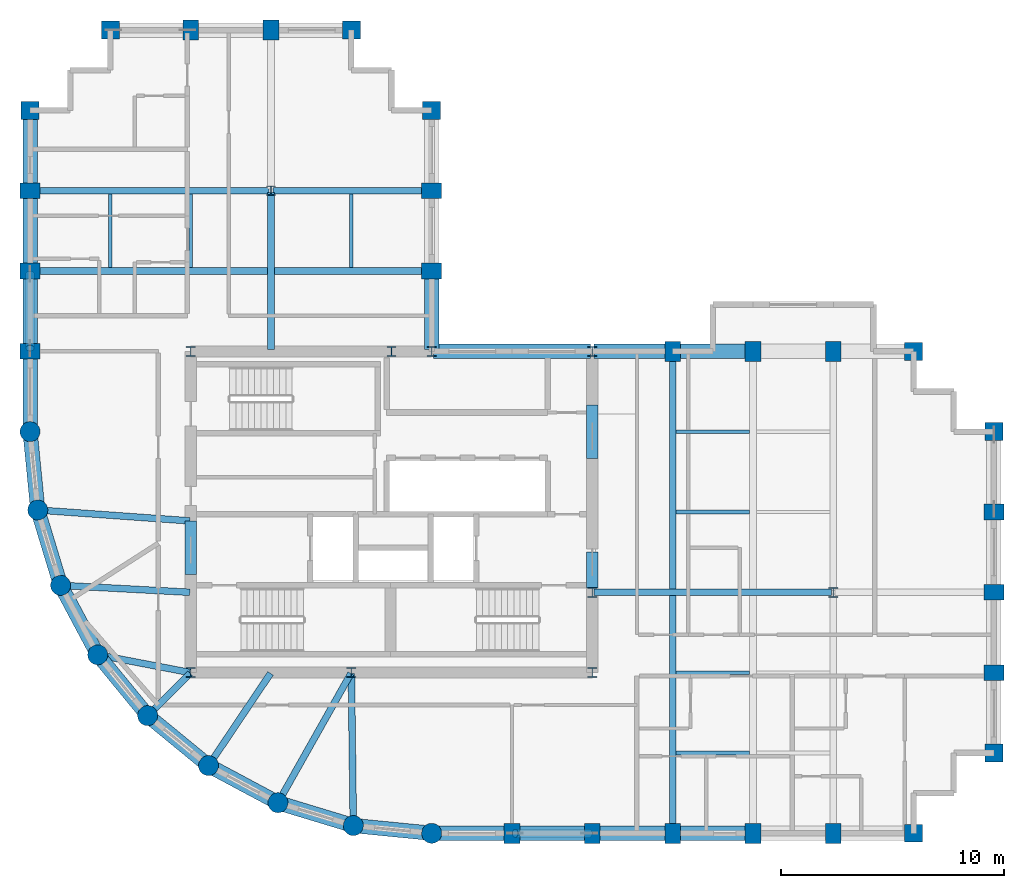
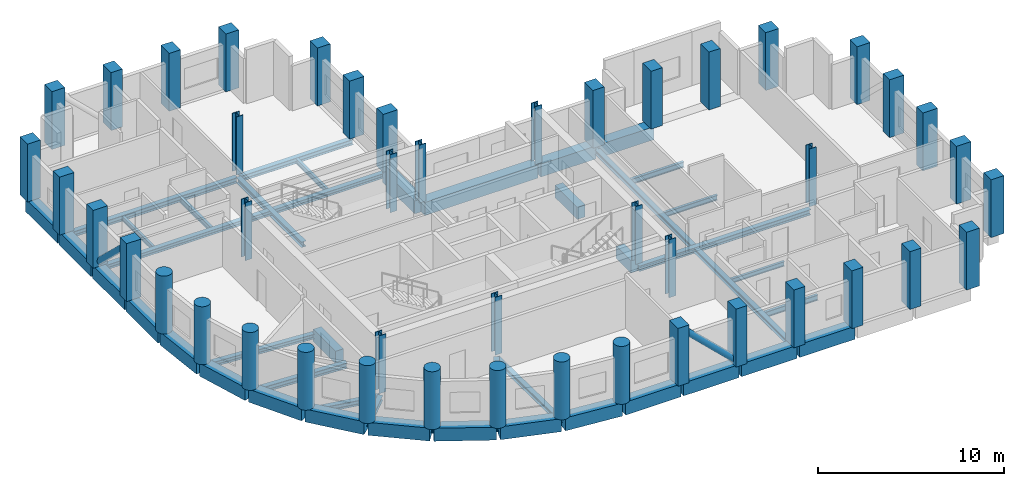
# One storey, part 1 of 8: 45 columns, 43 beams, 2 members.
"""IFC4 building model written with IfcOpenShell, lengths in metres."""

from ifc_helpers import new_model, si_unit, direction, frame, origin, origin_2d, place, context, subcontext, project, spatial, rectangle, circle, hollow_circle, i_section, extrude, material, material_profile, profile_set, type_object, element, save


model = new_model("IFC4")

# Units and contexts
model_context = context("Model", 3, precision=1e-05, world=origin(), true_north=direction((0.0, 1.0)))
body_context = subcontext(model_context, "Body", "Model", "MODEL_VIEW")
ifc_project = project(units=[si_unit("LENGTHUNIT", "METRE"), si_unit("AREAUNIT", "SQUARE_METRE"), si_unit("VOLUMEUNIT", "CUBIC_METRE"), si_unit("PLANEANGLEUNIT", "RADIAN"), si_unit("MASSUNIT", "GRAM", prefix="KILO")], contexts=[model_context])

# Site, building, storey
site_placement = place(None, origin())
site = spatial("IfcSite", under=ifc_project, at=site_placement, CompositionType="ELEMENT")
building_placement = place(site_placement, origin())
building = spatial("IfcBuilding", under=site, at=building_placement, Name="Solnavia Interchange Tower", CompositionType="ELEMENT")
storey_placement = place(building_placement, frame((0.0, 0.0, 186.199951171875)))
storey = spatial("IfcBuildingStorey", under=building, at=storey_placement, Name="L46", CompositionType="ELEMENT", Elevation=186.199951171875)

# Columns
ifc_material_1 = material(Name="Concrete C50/60", Category="concrete")
ifc_material_profile_1 = material_profile(ifc_material_1, rectangle(XDim=0.800048828125, YDim=0.800048828125, at=origin_2d()), Name="RC 800x800")
ifc_profile_set_1 = profile_set([ifc_material_profile_1], Name="Concrete C50/60")
column_type_1 = type_object("IfcColumnType", Name="Col-RC-800x800", PredefinedType="COLUMN", material=ifc_profile_set_1)
for number, where, z_axis, x_axis, name in (
    (1, (7.199951171875, 36.0, 0.0), (0.0, 0.0, 1.0), (0.0, 1.0, 0.0), "COL-L46-05 Tower corner column"),
    (2, (10.800048828125, 39.60009765625, 0.0), (0.0, 0.0, 1.0), (1.0, 0.0, 0.0), "COL-L46-09 Tower corner column"),
    (3, (21.60009765625, 39.60009765625, 0.0), (0.0, 0.0, 1.0), (1.0, 0.0, 0.0), "COL-L46-19 Tower corner column"),
    (4, (25.199951171875, 36.0, 0.0), (0.0, 0.0, 1.0), (0.0, 1.0, 0.0), "COL-L46-26 Tower corner column"),
    (5, (46.800048828125, 3.60009765625, 0.0), (0.0, 0.0, 1.0), (1.0, 0.0, 0.0), "COL-L46-39 Tower corner column"),
    (6, (46.800048828125, 25.199951171875, 0.0), (0.0, 0.0, 1.0), (1.0, 0.0, 0.0), "COL-L46-40 Tower corner column"),
    (7, (50.39990234375, 7.199951171875, 0.0), (0.0, 0.0, 1.0), (1.0, 0.0, 0.0), "COL-L46-41 Tower corner column"),
    (8, (50.39990234375, 21.60009765625, 0.0), (0.0, 0.0, 1.0), (0.0, 1.0, 0.0), "COL-L46-45 Tower corner column"),
):
    element("IfcColumn", number, at=place(storey_placement, frame(where, z_axis=z_axis, x_axis=x_axis)), inside=storey, type_object=column_type_1, Name=name, PredefinedType="COLUMN", context=body_context, shape_type="SweptSolid", body=[
        extrude(rectangle(XDim=0.800048828125, YDim=0.800048828125, at=origin_2d()), origin(), (0.0, 0.0, 1.0), 3.800048828125),
    ])
ifc_material_profile_2 = material_profile(ifc_material_1, rectangle(XDim=0.699951171875, YDim=0.89990234375, at=origin_2d()), Name="RC 900x700")
ifc_profile_set_2 = profile_set([ifc_material_profile_2], Name="Concrete C50/60")
column_type_2 = type_object("IfcColumnType", Name="Col-RC-900x700", PredefinedType="COLUMN", material=ifc_profile_set_2)
for number, where, z_axis, x_axis, name in (
    (9, (7.199951171875, 25.199951171875, 0.0), (0.0, 0.0, 1.0), (0.0, 1.0, 0.0), "COL-L46-02 Tower perim y column"),
    (10, (7.199951171875, 28.800048828125, 0.0), (0.0, 0.0, 1.0), (0.0, 1.0, 0.0), "COL-L46-03 Tower perim y column"),
    (11, (7.199951171875, 32.39990234375, 0.0), (0.0, 0.0, 1.0), (0.0, 1.0, 0.0), "COL-L46-04 Tower perim y column"),
    (12, (14.39990234375, 39.60009765625, 0.0), (0.0, 0.0, 1.0), (1.0, 0.0, 0.0), "COL-L46-13 Tower perim x column"),
    (13, (18.0, 39.60009765625, 0.0), (0.0, 0.0, 1.0), (1.0, 0.0, 0.0), "COL-L46-16 Tower perim x column"),
    (14, (25.199951171875, 28.800048828125, 0.0), (0.0, 0.0, 1.0), (0.0, 1.0, 0.0), "COL-L46-24 Tower perim y column"),
    (15, (25.199951171875, 32.39990234375, 0.0), (0.0, 0.0, 1.0), (0.0, 1.0, 0.0), "COL-L46-25 Tower perim y column"),
    (16, (28.800048828125, 3.60009765625, 0.0), (0.0, 0.0, 1.0), (1.0, 0.0, 0.0), "COL-L46-27 Tower perim x column"),
    (17, (32.39990234375, 3.60009765625, 0.0), (0.0, 0.0, 1.0), (1.0, 0.0, 0.0), "COL-L46-28 Tower perim x column"),
    (18, (36.0, 3.60009765625, 0.0), (0.0, 0.0, 1.0), (1.0, 0.0, 0.0), "COL-L46-32 Tower perim x column"),
    (19, (36.0, 25.199951171875, 0.0), (0.0, 0.0, 1.0), (1.0, 0.0, 0.0), "COL-L46-33 Tower perim x column"),
    (20, (39.60009765625, 3.60009765625, 0.0), (0.0, 0.0, 1.0), (1.0, 0.0, 0.0), "COL-L46-34 Tower perim x column"),
    (21, (39.60009765625, 25.199951171875, 0.0), (0.0, 0.0, 1.0), (1.0, 0.0, 0.0), "COL-L46-35 Tower perim x column"),
    (22, (43.199951171875, 3.60009765625, 0.0), (0.0, 0.0, 1.0), (1.0, 0.0, 0.0), "COL-L46-36 Tower perim x column"),
    (23, (43.199951171875, 25.199951171875, 0.0), (0.0, 0.0, 1.0), (1.0, 0.0, 0.0), "COL-L46-38 Tower perim x column"),
    (24, (50.39990234375, 10.800048828125, 0.0), (0.0, 0.0, 1.0), (0.0, 1.0, 0.0), "COL-L46-42 Tower perim y column"),
    (25, (50.39990234375, 14.39990234375, 0.0), (0.0, 0.0, 1.0), (0.0, 1.0, 0.0), "COL-L46-43 Tower perim y column"),
    (26, (50.39990234375, 18.0, 0.0), (0.0, 0.0, 1.0), (0.0, 1.0, 0.0), "COL-L46-44 Tower perim y column"),
):
    element("IfcColumn", number, at=place(storey_placement, frame(where, z_axis=z_axis, x_axis=x_axis)), inside=storey, type_object=column_type_2, Name=name, PredefinedType="COLUMN", context=body_context, shape_type="SweptSolid", body=[
        extrude(rectangle(XDim=0.699951171875, YDim=0.89990234375, at=origin_2d()), origin(), (0.0, 0.0, 1.0), 3.800048828125),
    ])
ifc_material_profile_3 = material_profile(ifc_material_1, circle(Radius=0.449951171875, at=origin_2d()), Name="RC D900")
ifc_profile_set_3 = profile_set([ifc_material_profile_3], Name="Concrete C50/60")
column_type_3 = type_object("IfcColumnType", Name="Col-RC-D900", PredefinedType="COLUMN", material=ifc_profile_set_3)
for number, where, z_axis, x_axis, name in (
    (27, (7.199951171875, 21.60009765625, 0.0), (0.0, 0.0, 1.0), (1.0, 0.0, 0.0), "COL-L46-01 Tower drum column"),
    (28, (7.5458984375, 18.087890625, 0.0), (0.0, 0.0, 1.0), (1.0, 0.0, 0.0), "COL-L46-06 Tower drum column"),
    (29, (8.570068359375, 14.7119140625, 0.0), (0.0, 0.0, 1.0), (1.0, 0.0, 0.0), "COL-L46-07 Tower drum column"),
    (30, (10.23388671875, 11.60009765625, 0.0), (0.0, 0.0, 1.0), (1.0, 0.0, 0.0), "COL-L46-08 Tower drum column"),
    (31, (12.471923828125, 8.8720703125, 0.0), (0.0, 0.0, 1.0), (1.0, 0.0, 0.0), "COL-L46-10 Tower drum column"),
    (32, (15.199951171875, 6.634033203125, 0.0), (0.0, 0.0, 1.0), (1.0, 0.0, 0.0), "COL-L46-14 Tower drum column"),
    (33, (18.31201171875, 4.969970703125, 0.0), (0.0, 0.0, 1.0), (1.0, 0.0, 0.0), "COL-L46-17 Tower drum column"),
    (34, (21.68798828125, 3.946044921875, 0.0), (0.0, 0.0, 1.0), (1.0, 0.0, 0.0), "COL-L46-20 Tower drum column"),
    (35, (25.199951171875, 3.60009765625, 0.0), (0.0, 0.0, 1.0), (1.0, 0.0, 0.0), "COL-L46-22 Tower drum column"),
):
    element("IfcColumn", number, at=place(storey_placement, frame(where, z_axis=z_axis, x_axis=x_axis)), inside=storey, type_object=column_type_3, Name=name, PredefinedType="COLUMN", context=body_context, shape_type="SweptSolid", body=[
        extrude(circle(Radius=0.449951171875, at=origin_2d()), origin(), (0.0, 0.0, 1.0), 3.800048828125),
    ])
ifc_material_2 = material(Name="Steel S355", Category="steel")
ifc_material_profile_4 = material_profile(ifc_material_2, i_section(OverallWidth=0.416015625, OverallDepth=0.44189453125, WebThickness=0.02490234375, FlangeThickness=0.041015625, FilletRadius=0.014892578125, at=origin_2d()), Name="HD 400x382")
ifc_profile_set_4 = profile_set([ifc_material_profile_4], Name="Steel S355")
column_type_4 = type_object("IfcColumnType", Name="Col-Steel-HD400x382", PredefinedType="COLUMN", material=ifc_profile_set_4)
for number, where, z_axis, x_axis, name in (
    (36, (14.39990234375, 10.800048828125, 0.0), (0.0, 0.0, 1.0), (1.0, 0.0, 0.0), "COL-L46-11 Tower interior column"),
    (37, (14.39990234375, 25.199951171875, 0.0), (0.0, 0.0, 1.0), (1.0, 0.0, 0.0), "COL-L46-12 Tower interior column"),
    (38, (18.0, 32.39990234375, 0.0), (0.0, 0.0, 1.0), (1.0, 0.0, 0.0), "COL-L46-15 Tower interior column"),
    (39, (21.60009765625, 10.800048828125, 0.0), (0.0, 0.0, 1.0), (1.0, 0.0, 0.0), "COL-L46-18 Tower interior column"),
    (40, (23.39990234375, 25.199951171875, 0.0), (0.0, 0.0, 1.0), (1.0, 0.0, 0.0), "COL-L46-21 Tower interior column"),
    (41, (25.199951171875, 25.199951171875, 0.0), (0.0, 0.0, 1.0), (1.0, 0.0, 0.0), "COL-L46-23 Tower interior column"),
    (42, (32.39990234375, 10.800048828125, 0.0), (0.0, 0.0, 1.0), (1.0, 0.0, 0.0), "COL-L46-29 Tower interior column"),
    (43, (32.39990234375, 14.39990234375, 0.0), (0.0, 0.0, 1.0), (1.0, 0.0, 0.0), "COL-L46-30 Tower interior column"),
    (44, (32.39990234375, 25.199951171875, 0.0), (0.0, 0.0, 1.0), (1.0, 0.0, 0.0), "COL-L46-31 Tower interior column"),
    (45, (43.199951171875, 14.39990234375, 0.0), (0.0, 0.0, 1.0), (1.0, 0.0, 0.0), "COL-L46-37 Tower interior column"),
):
    element("IfcColumn", number, at=place(storey_placement, frame(where, z_axis=z_axis, x_axis=x_axis)), inside=storey, type_object=column_type_4, Name=name, PredefinedType="COLUMN", context=body_context, shape_type="SweptSolid", body=[
        extrude(i_section(OverallWidth=0.416015625, OverallDepth=0.44189453125, WebThickness=0.02490234375, FlangeThickness=0.041015625, FilletRadius=0.014892578125, at=origin_2d()), origin(), (0.0, 0.0, 1.0), 3.800048828125),
    ])

# Beams
ifc_material_profile_5 = material_profile(ifc_material_1, rectangle(XDim=0.5, YDim=0.800048828125, at=origin_2d()), Name="RC 500x800")
ifc_profile_set_5 = profile_set([ifc_material_profile_5], Name="Concrete C50/60")
beam_type_1 = type_object("IfcBeamType", Name="Beam-Coupling-RC500x800", PredefinedType="LINTEL", material=ifc_profile_set_5)
beam_1_placement = place(storey_placement, frame((14.39990234375, 15.199951171875, -0.39990234375), z_axis=(0.0, 1.0, 0.0), x_axis=(-1.0, 0.0, 0.0)))
element("IfcBeam", 46, at=beam_1_placement, inside=storey, type_object=beam_type_1, Name="CPB-L46-W1 Core coupling lintel beam", PredefinedType="LINTEL", context=body_context, shape_type="SweptSolid", body=[
    extrude(rectangle(XDim=0.5, YDim=0.800048828125, at=origin_2d()), origin(), (0.0, 0.0, 1.0), 2.400146484375),
])
beam_2_placement = place(storey_placement, frame((32.39990234375, 14.60009765625, -0.39990234375), z_axis=(0.0, 1.0, 0.0), x_axis=(-1.0, 0.0, 0.0)))
element("IfcBeam", 47, at=beam_2_placement, inside=storey, type_object=beam_type_1, Name="CPB-L46-E1 Core coupling lintel beam", PredefinedType="LINTEL", context=body_context, shape_type="SweptSolid", body=[
    extrude(rectangle(XDim=0.5, YDim=0.800048828125, at=origin_2d()), origin(), (0.0, 0.0, 1.0), 1.599853515625),
])
beam_3_placement = place(storey_placement, frame((32.39990234375, 20.39990234375, -0.39990234375), z_axis=(0.0, 1.0, 0.0), x_axis=(-1.0, 0.0, 0.0)))
element("IfcBeam", 48, at=beam_3_placement, inside=storey, type_object=beam_type_1, Name="CPB-L46-E2 Core coupling lintel beam", PredefinedType="LINTEL", context=body_context, shape_type="SweptSolid", body=[
    extrude(rectangle(XDim=0.5, YDim=0.800048828125, at=origin_2d()), origin(), (0.0, 0.0, 1.0), 2.400146484375),
])
ifc_material_3 = material(Name="Steel S460", Category="steel")
ifc_material_profile_6 = material_profile(ifc_material_3, i_section(OverallWidth=0.300048828125, OverallDepth=0.360107421875, WebThickness=0.012451171875, FlangeThickness=0.0224609375, FilletRadius=0.027099609375, at=origin_2d()), Name="HEB 360")
ifc_profile_set_6 = profile_set([ifc_material_profile_6], Name="Steel S460")
beam_type_2 = type_object("IfcBeamType", Name="Beam-Girder-HEB360", PredefinedType="BEAM", material=ifc_profile_set_6)
beam_4_placement = place(storey_placement, frame((32.47998046875, 14.39990234375, -0.429931640625), z_axis=(1.0, 0.0, 0.0), x_axis=(0.0, 1.0, 0.0)))
element("IfcBeam", 49, at=beam_4_placement, inside=storey, type_object=beam_type_2, Name="GRD-L46-ES01 East wing spine girder", PredefinedType="BEAM", context=body_context, shape_type="SweptSolid", body=[
    extrude(i_section(OverallWidth=0.300048828125, OverallDepth=0.360107421875, WebThickness=0.012451171875, FlangeThickness=0.0224609375, FilletRadius=0.027099609375, at=origin_2d()), origin(), (0.0, 0.0, 1.0), 10.64013671875),
])
beam_5_placement = place(storey_placement, frame((18.0, 25.280029296875, -0.429931640625), z_axis=(0.0, 1.0, 0.0), x_axis=(-1.0, 0.0, 0.0)))
element("IfcBeam", 50, at=beam_5_placement, inside=storey, type_object=beam_type_2, Name="GRD-L46-NS07 North wing spine girder", PredefinedType="BEAM", context=body_context, shape_type="SweptSolid", body=[
    extrude(i_section(OverallWidth=0.300048828125, OverallDepth=0.360107421875, WebThickness=0.012451171875, FlangeThickness=0.0224609375, FilletRadius=0.027099609375, at=origin_2d()), origin(), (0.0, 0.0, 1.0), 7.0400390625),
])
beam_6_placement = place(storey_placement, frame((7.280029296875, 32.39990234375, -0.429931640625), z_axis=(1.0, 0.0, 0.0), x_axis=(0.0, 1.0, 0.0)))
element("IfcBeam", 51, at=beam_6_placement, inside=storey, type_object=beam_type_2, Name="GRD-L46-NW10 North wing primary floor girder", PredefinedType="BEAM", context=body_context, shape_type="SweptSolid", body=[
    extrude(i_section(OverallWidth=0.300048828125, OverallDepth=0.360107421875, WebThickness=0.012451171875, FlangeThickness=0.0224609375, FilletRadius=0.027099609375, at=origin_2d()), origin(), (0.0, 0.0, 1.0), 10.639892578125),
])
beam_7_placement = place(storey_placement, frame((18.080078125, 32.39990234375, -0.429931640625), z_axis=(1.0, 0.0, 0.0), x_axis=(0.0, 1.0, 0.0)))
element("IfcBeam", 52, at=beam_7_placement, inside=storey, type_object=beam_type_2, Name="GRD-L46-NW11 North wing primary floor girder", PredefinedType="BEAM", context=body_context, shape_type="SweptSolid", body=[
    extrude(i_section(OverallWidth=0.300048828125, OverallDepth=0.360107421875, WebThickness=0.012451171875, FlangeThickness=0.0224609375, FilletRadius=0.027099609375, at=origin_2d()), origin(), (0.0, 0.0, 1.0), 7.0400390625),
])
beam_8_placement = place(storey_placement, frame((8.64990234375, 14.707763671875, -0.429931640625), z_axis=(0.998570371303, -0.053452909696, 0.0), x_axis=(0.053452909696, 0.998570371303, 0.0)))
element("IfcBeam", 53, at=beam_8_placement, inside=storey, type_object=beam_type_2, Name="GRD-L46-DR13 Drum radial floor girder", PredefinedType="BEAM", context=body_context, shape_type="SweptSolid", body=[
    extrude(i_section(OverallWidth=0.300048828125, OverallDepth=0.360107421875, WebThickness=0.012451171875, FlangeThickness=0.0224609375, FilletRadius=0.027099609375, at=origin_2d()), origin(), (0.0, 0.0, 1.0), 5.71826171875),
])
beam_9_placement = place(storey_placement, frame((15.24462890625, 6.700439453125, -0.429931640625), z_axis=(0.557835474219, 0.829951555033, 0.0), x_axis=(-0.829951555033, 0.557835474219, 0.0)))
element("IfcBeam", 54, at=beam_9_placement, inside=storey, type_object=beam_type_2, Name="GRD-L46-DR16 Drum radial floor girder", PredefinedType="BEAM", context=body_context, shape_type="SweptSolid", body=[
    extrude(i_section(OverallWidth=0.300048828125, OverallDepth=0.360107421875, WebThickness=0.012451171875, FlangeThickness=0.0224609375, FilletRadius=0.027099609375, at=origin_2d()), origin(), (0.0, 0.0, 1.0), 4.899658203125),
])
ifc_material_profile_7 = material_profile(ifc_material_2, i_section(OverallWidth=0.14990234375, OverallDepth=0.300048828125, WebThickness=0.007080078125, FlangeThickness=0.0107421875, FilletRadius=0.014892578125, at=origin_2d()), Name="IPE 300")
ifc_profile_set_7 = profile_set([ifc_material_profile_7], Name="Steel S355")
beam_type_3 = type_object("IfcBeamType", Name="Beam-Joist-IPE300", PredefinedType="JOIST", material=ifc_profile_set_7)
for number, where, z_axis, x_axis, name in (
    (55, (36.14990234375, 10.800048828125, -0.39990234375), (1.0, 0.0, 0.0), (0.0, 1.0, 0.0), "JST-L46-E03 East wing secondary joist"),
    (56, (10.800048828125, 28.949951171875, -0.39990234375), (0.0, 1.0, 0.0), (-1.0, 0.0, 0.0), "JST-L46-N09 North wing secondary joist"),
):
    element("IfcBeam", number, at=place(storey_placement, frame(where, z_axis=z_axis, x_axis=x_axis)), inside=storey, type_object=beam_type_3, Name=name, PredefinedType="JOIST", context=body_context, shape_type="SweptSolid", body=[
        extrude(i_section(OverallWidth=0.14990234375, OverallDepth=0.300048828125, WebThickness=0.007080078125, FlangeThickness=0.0107421875, FilletRadius=0.014892578125, at=origin_2d()), origin(), (0.0, 0.0, 1.0), 3.300048828125),
    ])
ifc_material_profile_8 = material_profile(ifc_material_2, i_section(OverallWidth=0.159912109375, OverallDepth=0.330078125, WebThickness=0.007568359375, FlangeThickness=0.011474609375, FilletRadius=0.01806640625, at=origin_2d()), Name="IPE 330")
ifc_profile_set_8 = profile_set([ifc_material_profile_8], Name="Steel S355")
beam_type_4 = type_object("IfcBeamType", Name="Beam-Joist-IPE330", PredefinedType="JOIST", material=ifc_profile_set_8)
for number, where, z_axis, x_axis, name in (
    (57, (36.14990234375, 18.0, -0.4150390625), (1.0, 0.0, 0.0), (0.0, 1.0, 0.0), "JST-L46-E05 East wing secondary joist"),
    (58, (21.60009765625, 28.949951171875, -0.4150390625), (0.0, 1.0, 0.0), (-1.0, 0.0, 0.0), "JST-L46-N11 North wing secondary joist"),
):
    element("IfcBeam", number, at=place(storey_placement, frame(where, z_axis=z_axis, x_axis=x_axis)), inside=storey, type_object=beam_type_4, Name=name, PredefinedType="JOIST", context=body_context, shape_type="SweptSolid", body=[
        extrude(i_section(OverallWidth=0.159912109375, OverallDepth=0.330078125, WebThickness=0.007568359375, FlangeThickness=0.011474609375, FilletRadius=0.01806640625, at=origin_2d()), origin(), (0.0, 0.0, 1.0), 3.300048828125),
    ])
ifc_material_profile_9 = material_profile(ifc_material_2, i_section(OverallWidth=0.169921875, OverallDepth=0.360107421875, WebThickness=0.008056640625, FlangeThickness=0.0126953125, FilletRadius=0.01806640625, at=origin_2d()), Name="IPE 360")
ifc_profile_set_9 = profile_set([ifc_material_profile_9], Name="Steel S355")
beam_type_5 = type_object("IfcBeamType", Name="Beam-Joist-IPE360", PredefinedType="JOIST", material=ifc_profile_set_9)
for number, where, z_axis, x_axis, name in (
    (59, (36.14990234375, 7.199951171875, -0.429931640625), (1.0, 0.0, 0.0), (0.0, 1.0, 0.0), "JST-L46-E01 East wing secondary joist"),
    (60, (36.14990234375, 21.60009765625, -0.429931640625), (1.0, 0.0, 0.0), (0.0, 1.0, 0.0), "JST-L46-E07 East wing secondary joist"),
    (61, (14.39990234375, 28.949951171875, -0.429931640625), (0.0, 1.0, 0.0), (-1.0, 0.0, 0.0), "JST-L46-N10 North wing secondary joist"),
):
    element("IfcBeam", number, at=place(storey_placement, frame(where, z_axis=z_axis, x_axis=x_axis)), inside=storey, type_object=beam_type_5, Name=name, PredefinedType="JOIST", context=body_context, shape_type="SweptSolid", body=[
        extrude(i_section(OverallWidth=0.169921875, OverallDepth=0.360107421875, WebThickness=0.008056640625, FlangeThickness=0.0126953125, FilletRadius=0.01806640625, at=origin_2d()), origin(), (0.0, 0.0, 1.0), 3.300048828125),
    ])
ifc_material_profile_10 = material_profile(ifc_material_2, i_section(OverallWidth=0.300048828125, OverallDepth=0.31005859375, WebThickness=0.009033203125, FlangeThickness=0.015380859375, FilletRadius=0.027099609375, at=origin_2d()), Name="HEA 320")
ifc_profile_set_10 = profile_set([ifc_material_profile_10], Name="Steel S355")
beam_type_6 = type_object("IfcBeamType", Name="Beam-Primary-HEA320", PredefinedType="BEAM", material=ifc_profile_set_10)
beam_10_placement = place(storey_placement, frame((36.0, 3.679931640625, -0.405029296875), z_axis=(0.0, 1.0, 0.0), x_axis=(-1.0, 0.0, 0.0)))
element("IfcBeam", 62, at=beam_10_placement, inside=storey, type_object=beam_type_6, Name="GRD-L46-EW03 East wing primary floor girder", PredefinedType="BEAM", context=body_context, shape_type="SweptSolid", body=[
    extrude(i_section(OverallWidth=0.300048828125, OverallDepth=0.31005859375, WebThickness=0.009033203125, FlangeThickness=0.015380859375, FilletRadius=0.027099609375, at=origin_2d()), origin(), (0.0, 0.0, 1.0), 21.440185546875),
])
beam_11_placement = place(storey_placement, frame((7.280029296875, 28.800048828125, -0.405029296875), z_axis=(1.0, 0.0, 0.0), x_axis=(0.0, 1.0, 0.0)))
element("IfcBeam", 63, at=beam_11_placement, inside=storey, type_object=beam_type_6, Name="GRD-L46-NW09 North wing primary floor girder", PredefinedType="BEAM", context=body_context, shape_type="SweptSolid", body=[
    extrude(i_section(OverallWidth=0.300048828125, OverallDepth=0.31005859375, WebThickness=0.009033203125, FlangeThickness=0.015380859375, FilletRadius=0.027099609375, at=origin_2d()), origin(), (0.0, 0.0, 1.0), 17.840087890625),
])
beam_12_placement = place(storey_placement, frame((7.625732421875, 18.082275390625, -0.405029296875), z_axis=(0.99747482749, -0.071020902015, 0.0), x_axis=(0.071020902015, 0.99747482749, 0.0)))
element("IfcBeam", 64, at=beam_12_placement, inside=storey, type_object=beam_type_6, Name="GRD-L46-DR12 Drum radial floor girder", PredefinedType="BEAM", context=body_context, shape_type="SweptSolid", body=[
    extrude(i_section(OverallWidth=0.300048828125, OverallDepth=0.31005859375, WebThickness=0.009033203125, FlangeThickness=0.015380859375, FilletRadius=0.027099609375, at=origin_2d()), origin(), (0.0, 0.0, 1.0), 6.75146484375),
])
beam_13_placement = place(storey_placement, frame((12.528564453125, 8.9287109375, -0.405029296875), z_axis=(0.707106781187, 0.707106781187, 0.0), x_axis=(-0.707106781187, 0.707106781187, 0.0)))
element("IfcBeam", 65, at=beam_13_placement, inside=storey, type_object=beam_type_6, Name="GRD-L46-DR15 Drum radial floor girder", PredefinedType="BEAM", context=body_context, shape_type="SweptSolid", body=[
    extrude(i_section(OverallWidth=0.300048828125, OverallDepth=0.31005859375, WebThickness=0.009033203125, FlangeThickness=0.015380859375, FilletRadius=0.027099609375, at=origin_2d()), origin(), (0.0, 0.0, 1.0), 2.6064453125),
])
beam_14_placement = place(storey_placement, frame((21.68701171875, 4.02587890625, -0.405029296875), z_axis=(-0.01283293513, 0.999917654498, 0.0), x_axis=(-0.999917654498, -0.01283293513, 0.0)))
element("IfcBeam", 66, at=beam_14_placement, inside=storey, type_object=beam_type_6, Name="GRD-L46-DR18 Drum radial floor girder", PredefinedType="BEAM", context=body_context, shape_type="SweptSolid", body=[
    extrude(i_section(OverallWidth=0.300048828125, OverallDepth=0.31005859375, WebThickness=0.009033203125, FlangeThickness=0.015380859375, FilletRadius=0.027099609375, at=origin_2d()), origin(), (0.0, 0.0, 1.0), 6.734619140625),
])
ifc_material_profile_11 = material_profile(ifc_material_2, i_section(OverallWidth=0.300048828125, OverallDepth=0.35009765625, WebThickness=0.010009765625, FlangeThickness=0.017578125, FilletRadius=0.027099609375, at=origin_2d()), Name="HEA 360")
ifc_profile_set_11 = profile_set([ifc_material_profile_11], Name="Steel S355")
beam_type_7 = type_object("IfcBeamType", Name="Beam-Primary-HEA360", PredefinedType="BEAM", material=ifc_profile_set_11)
beam_15_placement = place(storey_placement, frame((10.3125, 11.5849609375, -0.425048828125), z_axis=(0.982057527796, -0.188581579428, 0.0), x_axis=(0.188581579428, 0.982057527796, 0.0)))
element("IfcBeam", 67, at=beam_15_placement, inside=storey, type_object=beam_type_7, Name="GRD-L46-DR14 Drum radial floor girder", PredefinedType="BEAM", context=body_context, shape_type="SweptSolid", body=[
    extrude(i_section(OverallWidth=0.300048828125, OverallDepth=0.35009765625, WebThickness=0.010009765625, FlangeThickness=0.017578125, FilletRadius=0.027099609375, at=origin_2d()), origin(), (0.0, 0.0, 1.0), 4.1220703125),
])
beam_16_placement = place(storey_placement, frame((18.351318359375, 5.039794921875, -0.425048828125), z_axis=(0.491243158486, 0.871022479182, 0.0), x_axis=(-0.871022479182, 0.491243158486, 0.0)))
element("IfcBeam", 68, at=beam_16_placement, inside=storey, type_object=beam_type_7, Name="GRD-L46-DR17 Drum radial floor girder", PredefinedType="BEAM", context=body_context, shape_type="SweptSolid", body=[
    extrude(i_section(OverallWidth=0.300048828125, OverallDepth=0.35009765625, WebThickness=0.010009765625, FlangeThickness=0.017578125, FilletRadius=0.027099609375, at=origin_2d()), origin(), (0.0, 0.0, 1.0), 6.5732421875),
])
ifc_material_profile_12 = material_profile(ifc_material_1, rectangle(XDim=0.64990234375, YDim=0.85009765625, at=origin_2d()), Name="RC 650x850")
ifc_profile_set_12 = profile_set([ifc_material_profile_12], Name="Concrete C50/60")
beam_type_8 = type_object("IfcBeamType", Name="Beam-Spandrel-RC650x850", PredefinedType="SPANDREL", material=ifc_profile_set_12)
beam_17_placement = place(storey_placement, frame((7.207763671875, 21.5205078125, -0.425048828125), z_axis=(0.098040038117, -0.995182471171, 0.0), x_axis=(0.995182471171, 0.098040038117, 0.0)))
element("IfcBeam", 69, at=beam_17_placement, inside=storey, type_object=beam_type_8, Name="SPB-L46-01 Framed-tube perimeter spandrel beam", PredefinedType="SPANDREL", context=body_context, shape_type="SweptSolid", body=[
    extrude(rectangle(XDim=0.64990234375, YDim=0.85009765625, at=origin_2d()), origin(), (0.0, 0.0, 1.0), 3.369140625),
])
beam_18_placement = place(storey_placement, frame((7.569091796875, 18.011474609375, -0.425048828125), z_axis=(0.290319223646, -0.956929855518, 0.0), x_axis=(0.956929855518, 0.290319223646, 0.0)))
element("IfcBeam", 70, at=beam_18_placement, inside=storey, type_object=beam_type_8, Name="SPB-L46-02 Framed-tube perimeter spandrel beam", PredefinedType="SPANDREL", context=body_context, shape_type="SweptSolid", body=[
    extrude(rectangle(XDim=0.64990234375, YDim=0.85009765625, at=origin_2d()), origin(), (0.0, 0.0, 1.0), 3.367919921875),
])
beam_19_placement = place(storey_placement, frame((8.607666015625, 14.6416015625, -0.425048828125), z_axis=(0.471509422952, -0.881861023102, 0.0), x_axis=(0.881861023102, 0.471509422952, 0.0)))
element("IfcBeam", 71, at=beam_19_placement, inside=storey, type_object=beam_type_8, Name="SPB-L46-03 Framed-tube perimeter spandrel beam", PredefinedType="SPANDREL", context=body_context, shape_type="SweptSolid", body=[
    extrude(rectangle(XDim=0.64990234375, YDim=0.85009765625, at=origin_2d()), origin(), (0.0, 0.0, 1.0), 3.369140625),
])
for number, where, z_axis, x_axis, name in (
    (72, (10.28466796875, 11.5380859375, -0.425048828125), (0.634298841675, -0.773087950656, 0.0), (0.773087950656, 0.634298841675, 0.0), "SPB-L46-04 Framed-tube perimeter spandrel beam"),
    (73, (12.53369140625, 8.8212890625, -0.425048828125), (0.773152644452, -0.634219984214, 0.0), (0.634219984214, 0.773152644452, 0.0), "SPB-L46-05 Framed-tube perimeter spandrel beam"),
):
    element("IfcBeam", number, at=place(storey_placement, frame(where, z_axis=z_axis, x_axis=x_axis)), inside=storey, type_object=beam_type_8, Name=name, PredefinedType="SPANDREL", context=body_context, shape_type="SweptSolid", body=[
        extrude(rectangle(XDim=0.64990234375, YDim=0.85009765625, at=origin_2d()), origin(), (0.0, 0.0, 1.0), 3.36865234375),
    ])
beam_20_placement = place(storey_placement, frame((15.2705078125, 6.59619140625, -0.425048828125), z_axis=(0.881875044348, -0.47148319817, 0.0), x_axis=(0.47148319817, 0.881875044348, 0.0)))
element("IfcBeam", 74, at=beam_20_placement, inside=storey, type_object=beam_type_8, Name="SPB-L46-06 Framed-tube perimeter spandrel beam", PredefinedType="SPANDREL", context=body_context, shape_type="SweptSolid", body=[
    extrude(rectangle(XDim=0.64990234375, YDim=0.85009765625, at=origin_2d()), origin(), (0.0, 0.0, 1.0), 3.368896484375),
])
beam_21_placement = place(storey_placement, frame((18.388671875, 4.94677734375, -0.425048828125), z_axis=(0.956943884494, -0.290272978297, 0.0), x_axis=(0.290272978297, 0.956943884494, 0.0)))
element("IfcBeam", 75, at=beam_21_placement, inside=storey, type_object=beam_type_8, Name="SPB-L46-07 Framed-tube perimeter spandrel beam", PredefinedType="SPANDREL", context=body_context, shape_type="SweptSolid", body=[
    extrude(rectangle(XDim=0.64990234375, YDim=0.85009765625, at=origin_2d()), origin(), (0.0, 0.0, 1.0), 3.36767578125),
])
beam_22_placement = place(storey_placement, frame((21.767578125, 3.938232421875, -0.425048828125), z_axis=(0.995181774609, -0.098047108501, 0.0), x_axis=(0.098047108501, 0.995181774609, 0.0)))
element("IfcBeam", 76, at=beam_22_placement, inside=storey, type_object=beam_type_8, Name="SPB-L46-08 Framed-tube perimeter spandrel beam", PredefinedType="SPANDREL", context=body_context, shape_type="SweptSolid", body=[
    extrude(rectangle(XDim=0.64990234375, YDim=0.85009765625, at=origin_2d()), origin(), (0.0, 0.0, 1.0), 3.368896484375),
])
beam_23_placement = place(storey_placement, frame((25.280029296875, 3.60009765625, -0.425048828125), z_axis=(1.0, 0.0, 0.0), x_axis=(0.0, 1.0, 0.0)))
element("IfcBeam", 77, at=beam_23_placement, inside=storey, type_object=beam_type_8, Name="SPB-L46-09 Framed-tube perimeter spandrel beam", PredefinedType="SPANDREL", context=body_context, shape_type="SweptSolid", body=[
    extrude(rectangle(XDim=0.64990234375, YDim=0.85009765625, at=origin_2d()), origin(), (0.0, 0.0, 1.0), 3.43994140625),
])
beam_24_placement = place(storey_placement, frame((28.8798828125, 3.60009765625, -0.425048828125), z_axis=(1.0, 0.0, 0.0), x_axis=(0.0, 1.0, 0.0)))
element("IfcBeam", 78, at=beam_24_placement, inside=storey, type_object=beam_type_8, Name="SPB-L46-10 Framed-tube perimeter spandrel beam", PredefinedType="SPANDREL", context=body_context, shape_type="SweptSolid", body=[
    extrude(rectangle(XDim=0.64990234375, YDim=0.85009765625, at=origin_2d()), origin(), (0.0, 0.0, 1.0), 3.440185546875),
])
for number, where, z_axis, x_axis, name in (
    (79, (32.47998046875, 3.60009765625, -0.425048828125), (1.0, 0.0, 0.0), (0.0, 1.0, 0.0), "SPB-L46-11 Framed-tube perimeter spandrel beam"),
    (80, (36.080078125, 3.60009765625, -0.425048828125), (1.0, 0.0, 0.0), (0.0, 1.0, 0.0), "SPB-L46-12 Framed-tube perimeter spandrel beam"),
    (81, (39.52001953125, 25.199951171875, -0.425048828125), (-1.0, 0.0, 0.0), (0.0, -1.0, 0.0), "SPB-L46-21 Framed-tube perimeter spandrel beam"),
    (82, (35.919921875, 25.199951171875, -0.425048828125), (-1.0, 0.0, 0.0), (0.0, -1.0, 0.0), "SPB-L46-22 Framed-tube perimeter spandrel beam"),
):
    element("IfcBeam", number, at=place(storey_placement, frame(where, z_axis=z_axis, x_axis=x_axis)), inside=storey, type_object=beam_type_8, Name=name, PredefinedType="SPANDREL", context=body_context, shape_type="SweptSolid", body=[
        extrude(rectangle(XDim=0.64990234375, YDim=0.85009765625, at=origin_2d()), origin(), (0.0, 0.0, 1.0), 3.43994140625),
    ])
beam_25_placement = place(storey_placement, frame((32.320068359375, 25.199951171875, -0.425048828125), z_axis=(-1.0, 0.0, 0.0), x_axis=(0.0, -1.0, 0.0)))
element("IfcBeam", 83, at=beam_25_placement, inside=storey, type_object=beam_type_8, Name="SPB-L46-23 Framed-tube perimeter spandrel beam", PredefinedType="SPANDREL", context=body_context, shape_type="SweptSolid", body=[
    extrude(rectangle(XDim=0.64990234375, YDim=0.85009765625, at=origin_2d()), origin(), (0.0, 0.0, 1.0), 7.0400390625),
])
for number, where, z_axis, x_axis, name in (
    (84, (25.199951171875, 25.280029296875, -0.425048828125), (0.0, 1.0, 0.0), (-1.0, 0.0, 0.0), "SPB-L46-24 Framed-tube perimeter spandrel beam"),
    (85, (7.199951171875, 35.919921875, -0.425048828125), (0.0, -1.0, 0.0), (1.0, 0.0, 0.0), "SPB-L46-30 Framed-tube perimeter spandrel beam"),
):
    element("IfcBeam", number, at=place(storey_placement, frame(where, z_axis=z_axis, x_axis=x_axis)), inside=storey, type_object=beam_type_8, Name=name, PredefinedType="SPANDREL", context=body_context, shape_type="SweptSolid", body=[
        extrude(rectangle(XDim=0.64990234375, YDim=0.85009765625, at=origin_2d()), origin(), (0.0, 0.0, 1.0), 3.43994140625),
    ])
beam_26_placement = place(storey_placement, frame((7.199951171875, 32.320068359375, -0.425048828125), z_axis=(0.0, -1.0, 0.0), x_axis=(1.0, 0.0, 0.0)))
element("IfcBeam", 86, at=beam_26_placement, inside=storey, type_object=beam_type_8, Name="SPB-L46-31 Framed-tube perimeter spandrel beam", PredefinedType="SPANDREL", context=body_context, shape_type="SweptSolid", body=[
    extrude(rectangle(XDim=0.64990234375, YDim=0.85009765625, at=origin_2d()), origin(), (0.0, 0.0, 1.0), 3.440185546875),
])
beam_27_placement = place(storey_placement, frame((7.199951171875, 28.719970703125, -0.425048828125), z_axis=(0.0, -1.0, 0.0), x_axis=(1.0, 0.0, 0.0)))
element("IfcBeam", 87, at=beam_27_placement, inside=storey, type_object=beam_type_8, Name="SPB-L46-32 Framed-tube perimeter spandrel beam", PredefinedType="SPANDREL", context=body_context, shape_type="SweptSolid", body=[
    extrude(rectangle(XDim=0.64990234375, YDim=0.85009765625, at=origin_2d()), origin(), (0.0, 0.0, 1.0), 3.43994140625),
])
beam_28_placement = place(storey_placement, frame((7.199951171875, 25.1201171875, -0.425048828125), z_axis=(0.0, -1.0, 0.0), x_axis=(1.0, 0.0, 0.0)))
element("IfcBeam", 88, at=beam_28_placement, inside=storey, type_object=beam_type_8, Name="SPB-L46-33 Framed-tube perimeter spandrel beam", PredefinedType="SPANDREL", context=body_context, shape_type="SweptSolid", body=[
    extrude(rectangle(XDim=0.64990234375, YDim=0.85009765625, at=origin_2d()), origin(), (0.0, 0.0, 1.0), 3.440185546875),
])

# Members
ifc_material_profile_13 = material_profile(ifc_material_3, hollow_circle(Radius=0.203125, WallThickness=0.02001953125, at=origin_2d()), Name="CHS 406.4x20")
ifc_profile_set_13 = profile_set([ifc_material_profile_13], Name="Steel S460")
member_type = type_object("IfcMemberType", Name="Brace-Perim-CHS406", PredefinedType="BRACE", material=ifc_profile_set_13)
for number, where, z_axis, x_axis, name in (
    (89, (32.260009765625, 3.60009765625, 0.179931640625), (-0.721070427335, 0.0, 0.692861774688), (0.0, -1.0, 0.0), "BRC-L46-01 Perimeter tube diagonal brace"),
    (90, (7.199951171875, 28.659912109375, 0.179931640625), (0.0, -0.721044971413, 0.692888266028), (1.0, 0.0, 0.0), "BRC-L46-02 Perimeter tube diagonal brace"),
):
    element("IfcMember", number, at=place(storey_placement, frame(where, z_axis=z_axis, x_axis=x_axis)), inside=storey, type_object=member_type, Name=name, PredefinedType="BRACE", context=body_context, shape_type="SweptSolid", body=[
        extrude(hollow_circle(Radius=0.203125, WallThickness=0.02001953125, at=origin_2d()), origin(), (0.0, 0.0, 1.0), 4.604248046875),
    ])

save(model, "model.ifc")
